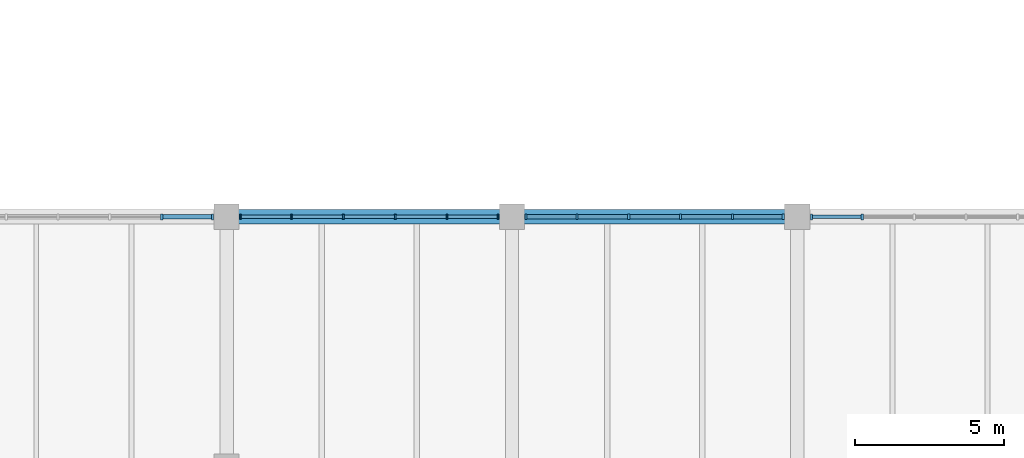
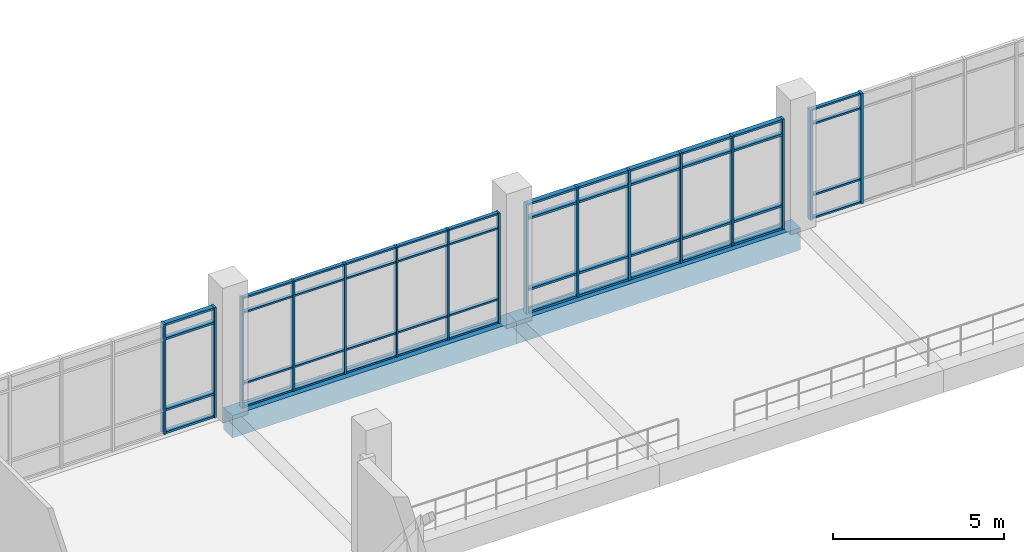
# One storey, part 21 of 152: 64 members, 2 beams, 4 elements without a shape of their own.
"""IFC4 building model written with IfcOpenShell, lengths in metres."""

from ifc_helpers import new_model, si_unit, direction, frame, origin, origin_2d, place, context, subcontext, project, spatial, rectangle, extrude, material, material_profile, profile_set, type_object, element, aggregate, save


model = new_model("IFC4")

# Units and contexts
model_context = context("Model", 3, precision=1e-05, world=origin(), true_north=direction((0.0, 1.0)))
body_context = subcontext(model_context, "Body", "Model", "MODEL_VIEW")
ifc_project = project(units=[si_unit("LENGTHUNIT", "METRE"), si_unit("AREAUNIT", "SQUARE_METRE"), si_unit("VOLUMEUNIT", "CUBIC_METRE"), si_unit("PLANEANGLEUNIT", "RADIAN"), si_unit("MASSUNIT", "GRAM", prefix="KILO")], contexts=[model_context])

# Site, building, storey
site_placement = place(None, origin())
site = spatial("IfcSite", under=ifc_project, at=site_placement, CompositionType="ELEMENT")
building_placement = place(site_placement, origin())
building = spatial("IfcBuilding", under=site, at=building_placement, Name="Oolite Switchyard Hospital", CompositionType="ELEMENT")
storey_placement = place(building_placement, frame((0.0, 0.0, 5.10009765625)))
storey = spatial("IfcBuildingStorey", under=building, at=storey_placement, Name="L01", CompositionType="ELEMENT", Elevation=5.10009765625)

# Beams
ifc_material_1 = material(Name="Concrete C40/50", Category="concrete")
ifc_material_profile_1 = material_profile(ifc_material_1, rectangle(XDim=0.5, YDim=0.800048828125, at=origin_2d()), Name="RCB500X800")
ifc_profile_set_1 = profile_set([ifc_material_profile_1], Name="Concrete C40/50")
beam_type = type_object("IfcBeamType", Name="BM-RC500X800", PredefinedType="BEAM", material=ifc_profile_set_1)
beam_1_placement = place(storey_placement, frame((67.199951171875, 33.60009765625, -0.400146484375), z_axis=(1.0, 0.0, 0.0), x_axis=(0.0, 1.0, 0.0)))
element("IfcBeam", 1, at=beam_1_placement, inside=storey, type_object=beam_type, Name="L01 X-Girder 69", PredefinedType="BEAM", context=body_context, shape_type="SweptSolid", body=[
    extrude(rectangle(XDim=0.5, YDim=0.800048828125, at=origin_2d()), origin(), (0.0, 0.0, 1.0), 9.60009765625),
])
beam_2_placement = place(storey_placement, frame((76.800048828125, 33.60009765625, -0.400146484375), z_axis=(1.0, 0.0, 0.0), x_axis=(0.0, 1.0, 0.0)))
element("IfcBeam", 2, at=beam_2_placement, inside=storey, type_object=beam_type, Name="L01 X-Girder 70", PredefinedType="BEAM", context=body_context, shape_type="SweptSolid", body=[
    extrude(rectangle(XDim=0.5, YDim=0.800048828125, at=origin_2d()), origin(), (0.0, 0.0, 1.0), 9.599853515625),
])

# Curtain wall, members
ifc_material_2 = material(Name="Thermally broken aluminum frame with laminated impact glazing", Category="aluminium")
curtain_wall_type = type_object("IfcCurtainWallType", Name="CW-UNIT-96X48", PredefinedType="USERDEFINED", material=ifc_material_2)
curtain_wall_1_placement = place(storey_placement, origin())
curtain_wall_1 = element("IfcCurtainWall", 3, at=curtain_wall_1_placement, inside=storey, type_object=curtain_wall_type, Name="L01 Unitised Curtain Wall 110", ObjectType="UNITISED", PredefinedType="USERDEFINED")
ifc_material_3 = material(Name="Aluminium 6063-T6", Category="aluminium")
ifc_material_profile_2 = material_profile(ifc_material_3, rectangle(XDim=0.159912109375, YDim=0.06005859375, at=origin_2d()), Name="CWM60X160")
ifc_profile_set_2 = profile_set([ifc_material_profile_2], Name="Aluminium 6063-T6")
member_type_1 = type_object("IfcMemberType", Name="CW-MUL-180", PredefinedType="MULLION", material=ifc_profile_set_2)
member_1_placement = place(storey_placement, frame((67.669921875, 33.60009765625, 0.0), z_axis=(0.0, 0.0, 1.0), x_axis=(0.0, 1.0, 0.0)))
member_1 = element("IfcMember", 4, at=member_1_placement, type_object=member_type_1, Name="CW-02 mullion 1", PredefinedType="MULLION", context=body_context, shape_type="SweptSolid", body=[
    extrude(rectangle(XDim=0.159912109375, YDim=0.06005859375, at=origin_2d()), origin(), (0.0, 0.0, 1.0), 3.93994140625),
])
member_2_placement = place(storey_placement, frame((69.384033203125, 33.60009765625, 0.0), z_axis=(0.0, 0.0, 1.0), x_axis=(0.0, 1.0, 0.0)))
member_2 = element("IfcMember", 5, at=member_2_placement, type_object=member_type_1, Name="CW-02 mullion 2", PredefinedType="MULLION", context=body_context, shape_type="SweptSolid", body=[
    extrude(rectangle(XDim=0.159912109375, YDim=0.06005859375, at=origin_2d()), origin(), (0.0, 0.0, 1.0), 3.93994140625),
])
member_3_placement = place(storey_placement, frame((71.1279296875, 33.60009765625, 0.0), z_axis=(0.0, 0.0, 1.0), x_axis=(0.0, 1.0, 0.0)))
member_3 = element("IfcMember", 6, at=member_3_placement, type_object=member_type_1, Name="CW-02 mullion 3", PredefinedType="MULLION", context=body_context, shape_type="SweptSolid", body=[
    extrude(rectangle(XDim=0.159912109375, YDim=0.06005859375, at=origin_2d()), origin(), (0.0, 0.0, 1.0), 3.93994140625),
])
member_4_placement = place(storey_placement, frame((72.8720703125, 33.60009765625, 0.0), z_axis=(0.0, 0.0, 1.0), x_axis=(0.0, 1.0, 0.0)))
member_4 = element("IfcMember", 7, at=member_4_placement, type_object=member_type_1, Name="CW-02 mullion 4", PredefinedType="MULLION", context=body_context, shape_type="SweptSolid", body=[
    extrude(rectangle(XDim=0.159912109375, YDim=0.06005859375, at=origin_2d()), origin(), (0.0, 0.0, 1.0), 3.93994140625),
])
member_5_placement = place(storey_placement, frame((74.615966796875, 33.60009765625, 0.0), z_axis=(0.0, 0.0, 1.0), x_axis=(0.0, 1.0, 0.0)))
member_5 = element("IfcMember", 8, at=member_5_placement, type_object=member_type_1, Name="CW-02 mullion 5", PredefinedType="MULLION", context=body_context, shape_type="SweptSolid", body=[
    extrude(rectangle(XDim=0.159912109375, YDim=0.06005859375, at=origin_2d()), origin(), (0.0, 0.0, 1.0), 3.93994140625),
])
member_6_placement = place(storey_placement, frame((76.330078125, 33.60009765625, 0.0), z_axis=(0.0, 0.0, 1.0), x_axis=(0.0, 1.0, 0.0)))
member_6 = element("IfcMember", 9, at=member_6_placement, type_object=member_type_1, Name="CW-02 mullion 6", PredefinedType="MULLION", context=body_context, shape_type="SweptSolid", body=[
    extrude(rectangle(XDim=0.159912109375, YDim=0.06005859375, at=origin_2d()), origin(), (0.0, 0.0, 1.0), 3.93994140625),
])

curtain_wall_2_placement = place(storey_placement, origin())
curtain_wall_2 = element("IfcCurtainWall", 10, at=curtain_wall_2_placement, inside=storey, type_object=curtain_wall_type, Name="L01 Unitised Curtain Wall 111", ObjectType="UNITISED", PredefinedType="USERDEFINED")
ifc_material_profile_3 = material_profile(ifc_material_3, rectangle(XDim=0.179931640625, YDim=0.070068359375, at=origin_2d()), Name="CWM70X180")
ifc_profile_set_3 = profile_set([ifc_material_profile_3], Name="Aluminium 6063-T6")
member_type_2 = type_object("IfcMemberType", Name="CW-MUL-220", PredefinedType="MULLION", material=ifc_profile_set_3)
member_7_placement = place(storey_placement, frame((77.27490234375, 33.60009765625, 0.0), z_axis=(0.0, 0.0, 1.0), x_axis=(0.0, 1.0, 0.0)))
member_7 = element("IfcMember", 11, at=member_7_placement, type_object=member_type_2, Name="CW-02 mullion 1", PredefinedType="MULLION", context=body_context, shape_type="SweptSolid", body=[
    extrude(rectangle(XDim=0.179931640625, YDim=0.070068359375, at=origin_2d()), origin(), (0.0, 0.0, 1.0), 3.93994140625),
])
member_8_placement = place(storey_placement, frame((78.98388671875, 33.60009765625, 0.0), z_axis=(0.0, 0.0, 1.0), x_axis=(0.0, 1.0, 0.0)))
member_8 = element("IfcMember", 12, at=member_8_placement, type_object=member_type_2, Name="CW-02 mullion 2", PredefinedType="MULLION", context=body_context, shape_type="SweptSolid", body=[
    extrude(rectangle(XDim=0.179931640625, YDim=0.070068359375, at=origin_2d()), origin(), (0.0, 0.0, 1.0), 3.93994140625),
])
member_9_placement = place(storey_placement, frame((80.72802734375, 33.60009765625, 0.0), z_axis=(0.0, 0.0, 1.0), x_axis=(0.0, 1.0, 0.0)))
member_9 = element("IfcMember", 13, at=member_9_placement, type_object=member_type_2, Name="CW-02 mullion 3", PredefinedType="MULLION", context=body_context, shape_type="SweptSolid", body=[
    extrude(rectangle(XDim=0.179931640625, YDim=0.070068359375, at=origin_2d()), origin(), (0.0, 0.0, 1.0), 3.93994140625),
])
member_10_placement = place(storey_placement, frame((82.471923828125, 33.60009765625, 0.0), z_axis=(0.0, 0.0, 1.0), x_axis=(0.0, 1.0, 0.0)))
member_10 = element("IfcMember", 14, at=member_10_placement, type_object=member_type_2, Name="CW-02 mullion 4", PredefinedType="MULLION", context=body_context, shape_type="SweptSolid", body=[
    extrude(rectangle(XDim=0.179931640625, YDim=0.070068359375, at=origin_2d()), origin(), (0.0, 0.0, 1.0), 3.93994140625),
])
member_11_placement = place(storey_placement, frame((84.216064453125, 33.60009765625, 0.0), z_axis=(0.0, 0.0, 1.0), x_axis=(0.0, 1.0, 0.0)))
member_11 = element("IfcMember", 15, at=member_11_placement, type_object=member_type_2, Name="CW-02 mullion 5", PredefinedType="MULLION", context=body_context, shape_type="SweptSolid", body=[
    extrude(rectangle(XDim=0.179931640625, YDim=0.070068359375, at=origin_2d()), origin(), (0.0, 0.0, 1.0), 3.93994140625),
])
member_12_placement = place(storey_placement, frame((85.925048828125, 33.60009765625, 0.0), z_axis=(0.0, 0.0, 1.0), x_axis=(0.0, 1.0, 0.0)))
member_12 = element("IfcMember", 16, at=member_12_placement, type_object=member_type_2, Name="CW-02 mullion 6", PredefinedType="MULLION", context=body_context, shape_type="SweptSolid", body=[
    extrude(rectangle(XDim=0.179931640625, YDim=0.070068359375, at=origin_2d()), origin(), (0.0, 0.0, 1.0), 3.93994140625),
])

curtain_wall_3_placement = place(storey_placement, origin())
curtain_wall_3 = element("IfcCurtainWall", 17, at=curtain_wall_3_placement, inside=storey, type_object=curtain_wall_type, Name="L01 Unitised Curtain Wall 109", ObjectType="UNITISED", PredefinedType="USERDEFINED")
ifc_material_profile_4 = material_profile(ifc_material_3, rectangle(XDim=0.199951171875, YDim=0.074951171875, at=origin_2d()), Name="CWM75X200")
ifc_profile_set_4 = profile_set([ifc_material_profile_4], Name="Aluminium 6063-T6")
member_type_3 = type_object("IfcMemberType", Name="CW-MUL-260", PredefinedType="MULLION", material=ifc_profile_set_4)
member_13_placement = place(storey_placement, frame((65.01611328125, 33.60009765625, 0.0), z_axis=(0.0, 0.0, 1.0), x_axis=(0.0, 1.0, 0.0)))
member_13 = element("IfcMember", 18, at=member_13_placement, type_object=member_type_3, Name="CW-02 mullion 5", PredefinedType="MULLION", context=body_context, shape_type="SweptSolid", body=[
    extrude(rectangle(XDim=0.199951171875, YDim=0.074951171875, at=origin_2d()), origin(), (0.0, 0.0, 1.0), 3.93994140625),
])
member_14_placement = place(storey_placement, frame((66.722412109375, 33.60009765625, 0.0), z_axis=(0.0, 0.0, 1.0), x_axis=(0.0, 1.0, 0.0)))
member_14 = element("IfcMember", 19, at=member_14_placement, type_object=member_type_3, Name="CW-02 mullion 6", PredefinedType="MULLION", context=body_context, shape_type="SweptSolid", body=[
    extrude(rectangle(XDim=0.199951171875, YDim=0.074951171875, at=origin_2d()), origin(), (0.0, 0.0, 1.0), 3.93994140625),
])

curtain_wall_4_placement = place(storey_placement, origin())
curtain_wall_4 = element("IfcCurtainWall", 20, at=curtain_wall_4_placement, inside=storey, type_object=curtain_wall_type, Name="L01 Unitised Curtain Wall 112", ObjectType="UNITISED", PredefinedType="USERDEFINED")
member_15_placement = place(storey_placement, frame((86.87744140625, 33.60009765625, 0.0), z_axis=(0.0, 0.0, 1.0), x_axis=(0.0, 1.0, 0.0)))
member_15 = element("IfcMember", 21, at=member_15_placement, type_object=member_type_3, Name="CW-02 mullion 1", PredefinedType="MULLION", context=body_context, shape_type="SweptSolid", body=[
    extrude(rectangle(XDim=0.199951171875, YDim=0.074951171875, at=origin_2d()), origin(), (0.0, 0.0, 1.0), 3.93994140625),
])
member_16_placement = place(storey_placement, frame((88.583984375, 33.60009765625, 0.0), z_axis=(0.0, 0.0, 1.0), x_axis=(0.0, 1.0, 0.0)))
member_16 = element("IfcMember", 22, at=member_16_placement, type_object=member_type_3, Name="CW-02 mullion 2", PredefinedType="MULLION", context=body_context, shape_type="SweptSolid", body=[
    extrude(rectangle(XDim=0.199951171875, YDim=0.074951171875, at=origin_2d()), origin(), (0.0, 0.0, 1.0), 3.93994140625),
])

# Member
ifc_material_profile_5 = material_profile(ifc_material_3, rectangle(XDim=0.1201171875, YDim=0.06005859375, at=origin_2d()), Name="CWT60X120")
ifc_profile_set_5 = profile_set([ifc_material_profile_5], Name="Aluminium 6063-T6")
member_type_4 = type_object("IfcMemberType", Name="CW-TRN-150", PredefinedType="USERDEFINED", material=ifc_profile_set_5)
member_17_placement = place(storey_placement, frame((67.699951171875, 33.60009765625, 0.02978515625), z_axis=(1.0, 0.0, 0.0), x_axis=(0.0, 1.0, 0.0)))
member_17 = element("IfcMember", 23, at=member_17_placement, type_object=member_type_4, Name="CW-02 transom 1.1", ObjectType="TRANSOM", PredefinedType="USERDEFINED", context=body_context, shape_type="SweptSolid", body=[
    extrude(rectangle(XDim=0.1201171875, YDim=0.06005859375, at=origin_2d()), origin(), (0.0, 0.0, 1.0), 1.654052734375),
])

member_18_placement = place(storey_placement, frame((67.699951171875, 33.60009765625, 0.849853515625), z_axis=(1.0, 0.0, 0.0), x_axis=(0.0, 1.0, 0.0)))
member_18 = element("IfcMember", 24, at=member_18_placement, type_object=member_type_4, Name="CW-02 transom 1.2", ObjectType="TRANSOM", PredefinedType="USERDEFINED", context=body_context, shape_type="SweptSolid", body=[
    extrude(rectangle(XDim=0.1201171875, YDim=0.06005859375, at=origin_2d()), origin(), (0.0, 0.0, 1.0), 1.654052734375),
])

member_19_placement = place(storey_placement, frame((67.699951171875, 33.60009765625, 3.389892578125), z_axis=(1.0, 0.0, 0.0), x_axis=(0.0, 1.0, 0.0)))
member_19 = element("IfcMember", 25, at=member_19_placement, type_object=member_type_4, Name="CW-02 transom 1.3", ObjectType="TRANSOM", PredefinedType="USERDEFINED", context=body_context, shape_type="SweptSolid", body=[
    extrude(rectangle(XDim=0.1201171875, YDim=0.06005859375, at=origin_2d()), origin(), (0.0, 0.0, 1.0), 1.654052734375),
])

member_20_placement = place(storey_placement, frame((67.699951171875, 33.60009765625, 3.909912109375), z_axis=(1.0, 0.0, 0.0), x_axis=(0.0, 1.0, 0.0)))
member_20 = element("IfcMember", 26, at=member_20_placement, type_object=member_type_4, Name="CW-02 transom 1.4", ObjectType="TRANSOM", PredefinedType="USERDEFINED", context=body_context, shape_type="SweptSolid", body=[
    extrude(rectangle(XDim=0.1201171875, YDim=0.06005859375, at=origin_2d()), origin(), (0.0, 0.0, 1.0), 1.654052734375),
])

member_21_placement = place(storey_placement, frame((69.4140625, 33.60009765625, 0.02978515625), z_axis=(1.0, 0.0, 0.0), x_axis=(0.0, 1.0, 0.0)))
member_21 = element("IfcMember", 27, at=member_21_placement, type_object=member_type_4, Name="CW-02 transom 2.1", ObjectType="TRANSOM", PredefinedType="USERDEFINED", context=body_context, shape_type="SweptSolid", body=[
    extrude(rectangle(XDim=0.1201171875, YDim=0.06005859375, at=origin_2d()), origin(), (0.0, 0.0, 1.0), 1.683837890625),
])

member_22_placement = place(storey_placement, frame((69.4140625, 33.60009765625, 0.849853515625), z_axis=(1.0, 0.0, 0.0), x_axis=(0.0, 1.0, 0.0)))
member_22 = element("IfcMember", 28, at=member_22_placement, type_object=member_type_4, Name="CW-02 transom 2.2", ObjectType="TRANSOM", PredefinedType="USERDEFINED", context=body_context, shape_type="SweptSolid", body=[
    extrude(rectangle(XDim=0.1201171875, YDim=0.06005859375, at=origin_2d()), origin(), (0.0, 0.0, 1.0), 1.683837890625),
])

member_23_placement = place(storey_placement, frame((69.4140625, 33.60009765625, 3.389892578125), z_axis=(1.0, 0.0, 0.0), x_axis=(0.0, 1.0, 0.0)))
member_23 = element("IfcMember", 29, at=member_23_placement, type_object=member_type_4, Name="CW-02 transom 2.3", ObjectType="TRANSOM", PredefinedType="USERDEFINED", context=body_context, shape_type="SweptSolid", body=[
    extrude(rectangle(XDim=0.1201171875, YDim=0.06005859375, at=origin_2d()), origin(), (0.0, 0.0, 1.0), 1.683837890625),
])

member_24_placement = place(storey_placement, frame((69.4140625, 33.60009765625, 3.909912109375), z_axis=(1.0, 0.0, 0.0), x_axis=(0.0, 1.0, 0.0)))
member_24 = element("IfcMember", 30, at=member_24_placement, type_object=member_type_4, Name="CW-02 transom 2.4", ObjectType="TRANSOM", PredefinedType="USERDEFINED", context=body_context, shape_type="SweptSolid", body=[
    extrude(rectangle(XDim=0.1201171875, YDim=0.06005859375, at=origin_2d()), origin(), (0.0, 0.0, 1.0), 1.683837890625),
])

member_25_placement = place(storey_placement, frame((71.157958984375, 33.60009765625, 0.02978515625), z_axis=(1.0, 0.0, 0.0), x_axis=(0.0, 1.0, 0.0)))
member_25 = element("IfcMember", 31, at=member_25_placement, type_object=member_type_4, Name="CW-02 transom 3.1", ObjectType="TRANSOM", PredefinedType="USERDEFINED", context=body_context, shape_type="SweptSolid", body=[
    extrude(rectangle(XDim=0.1201171875, YDim=0.06005859375, at=origin_2d()), origin(), (0.0, 0.0, 1.0), 1.68408203125),
])

member_26_placement = place(storey_placement, frame((71.157958984375, 33.60009765625, 0.849853515625), z_axis=(1.0, 0.0, 0.0), x_axis=(0.0, 1.0, 0.0)))
member_26 = element("IfcMember", 32, at=member_26_placement, type_object=member_type_4, Name="CW-02 transom 3.2", ObjectType="TRANSOM", PredefinedType="USERDEFINED", context=body_context, shape_type="SweptSolid", body=[
    extrude(rectangle(XDim=0.1201171875, YDim=0.06005859375, at=origin_2d()), origin(), (0.0, 0.0, 1.0), 1.68408203125),
])

member_27_placement = place(storey_placement, frame((71.157958984375, 33.60009765625, 3.389892578125), z_axis=(1.0, 0.0, 0.0), x_axis=(0.0, 1.0, 0.0)))
member_27 = element("IfcMember", 33, at=member_27_placement, type_object=member_type_4, Name="CW-02 transom 3.3", ObjectType="TRANSOM", PredefinedType="USERDEFINED", context=body_context, shape_type="SweptSolid", body=[
    extrude(rectangle(XDim=0.1201171875, YDim=0.06005859375, at=origin_2d()), origin(), (0.0, 0.0, 1.0), 1.68408203125),
])

member_28_placement = place(storey_placement, frame((71.157958984375, 33.60009765625, 3.909912109375), z_axis=(1.0, 0.0, 0.0), x_axis=(0.0, 1.0, 0.0)))
member_28 = element("IfcMember", 34, at=member_28_placement, type_object=member_type_4, Name="CW-02 transom 3.4", ObjectType="TRANSOM", PredefinedType="USERDEFINED", context=body_context, shape_type="SweptSolid", body=[
    extrude(rectangle(XDim=0.1201171875, YDim=0.06005859375, at=origin_2d()), origin(), (0.0, 0.0, 1.0), 1.68408203125),
])

member_29_placement = place(storey_placement, frame((72.902099609375, 33.60009765625, 0.02978515625), z_axis=(1.0, 0.0, 0.0), x_axis=(0.0, 1.0, 0.0)))
member_29 = element("IfcMember", 35, at=member_29_placement, type_object=member_type_4, Name="CW-02 transom 4.1", ObjectType="TRANSOM", PredefinedType="USERDEFINED", context=body_context, shape_type="SweptSolid", body=[
    extrude(rectangle(XDim=0.1201171875, YDim=0.06005859375, at=origin_2d()), origin(), (0.0, 0.0, 1.0), 1.683837890625),
])

member_30_placement = place(storey_placement, frame((72.902099609375, 33.60009765625, 0.849853515625), z_axis=(1.0, 0.0, 0.0), x_axis=(0.0, 1.0, 0.0)))
member_30 = element("IfcMember", 36, at=member_30_placement, type_object=member_type_4, Name="CW-02 transom 4.2", ObjectType="TRANSOM", PredefinedType="USERDEFINED", context=body_context, shape_type="SweptSolid", body=[
    extrude(rectangle(XDim=0.1201171875, YDim=0.06005859375, at=origin_2d()), origin(), (0.0, 0.0, 1.0), 1.683837890625),
])

member_31_placement = place(storey_placement, frame((72.902099609375, 33.60009765625, 3.389892578125), z_axis=(1.0, 0.0, 0.0), x_axis=(0.0, 1.0, 0.0)))
member_31 = element("IfcMember", 37, at=member_31_placement, type_object=member_type_4, Name="CW-02 transom 4.3", ObjectType="TRANSOM", PredefinedType="USERDEFINED", context=body_context, shape_type="SweptSolid", body=[
    extrude(rectangle(XDim=0.1201171875, YDim=0.06005859375, at=origin_2d()), origin(), (0.0, 0.0, 1.0), 1.683837890625),
])

member_32_placement = place(storey_placement, frame((72.902099609375, 33.60009765625, 3.909912109375), z_axis=(1.0, 0.0, 0.0), x_axis=(0.0, 1.0, 0.0)))
member_32 = element("IfcMember", 38, at=member_32_placement, type_object=member_type_4, Name="CW-02 transom 4.4", ObjectType="TRANSOM", PredefinedType="USERDEFINED", context=body_context, shape_type="SweptSolid", body=[
    extrude(rectangle(XDim=0.1201171875, YDim=0.06005859375, at=origin_2d()), origin(), (0.0, 0.0, 1.0), 1.683837890625),
])

member_33_placement = place(storey_placement, frame((74.64599609375, 33.60009765625, 0.02978515625), z_axis=(1.0, 0.0, 0.0), x_axis=(0.0, 1.0, 0.0)))
member_33 = element("IfcMember", 39, at=member_33_placement, type_object=member_type_4, Name="CW-02 transom 5.1", ObjectType="TRANSOM", PredefinedType="USERDEFINED", context=body_context, shape_type="SweptSolid", body=[
    extrude(rectangle(XDim=0.1201171875, YDim=0.06005859375, at=origin_2d()), origin(), (0.0, 0.0, 1.0), 1.654052734375),
])

member_34_placement = place(storey_placement, frame((74.64599609375, 33.60009765625, 0.849853515625), z_axis=(1.0, 0.0, 0.0), x_axis=(0.0, 1.0, 0.0)))
member_34 = element("IfcMember", 40, at=member_34_placement, type_object=member_type_4, Name="CW-02 transom 5.2", ObjectType="TRANSOM", PredefinedType="USERDEFINED", context=body_context, shape_type="SweptSolid", body=[
    extrude(rectangle(XDim=0.1201171875, YDim=0.06005859375, at=origin_2d()), origin(), (0.0, 0.0, 1.0), 1.654052734375),
])

member_35_placement = place(storey_placement, frame((74.64599609375, 33.60009765625, 3.389892578125), z_axis=(1.0, 0.0, 0.0), x_axis=(0.0, 1.0, 0.0)))
member_35 = element("IfcMember", 41, at=member_35_placement, type_object=member_type_4, Name="CW-02 transom 5.3", ObjectType="TRANSOM", PredefinedType="USERDEFINED", context=body_context, shape_type="SweptSolid", body=[
    extrude(rectangle(XDim=0.1201171875, YDim=0.06005859375, at=origin_2d()), origin(), (0.0, 0.0, 1.0), 1.654052734375),
])

member_36_placement = place(storey_placement, frame((74.64599609375, 33.60009765625, 3.909912109375), z_axis=(1.0, 0.0, 0.0), x_axis=(0.0, 1.0, 0.0)))
member_36 = element("IfcMember", 42, at=member_36_placement, type_object=member_type_4, Name="CW-02 transom 5.4", ObjectType="TRANSOM", PredefinedType="USERDEFINED", context=body_context, shape_type="SweptSolid", body=[
    extrude(rectangle(XDim=0.1201171875, YDim=0.06005859375, at=origin_2d()), origin(), (0.0, 0.0, 1.0), 1.654052734375),
])

aggregate(curtain_wall_1, [member_1, member_2, member_3, member_4, member_5, member_6, member_17, member_18, member_19, member_20, member_21, member_22, member_23, member_24, member_25, member_26, member_27, member_28, member_29, member_30, member_31, member_32, member_33, member_34, member_35, member_36])

member_37_placement = place(storey_placement, frame((86.9150390625, 33.60009765625, 0.02978515625), z_axis=(1.0, 0.0, 0.0), x_axis=(0.0, 1.0, 0.0)))
member_37 = element("IfcMember", 43, at=member_37_placement, type_object=member_type_4, Name="CW-02 transom 1.1", ObjectType="TRANSOM", PredefinedType="USERDEFINED", context=body_context, shape_type="SweptSolid", body=[
    extrude(rectangle(XDim=0.1201171875, YDim=0.06005859375, at=origin_2d()), origin(), (0.0, 0.0, 1.0), 1.63134765625),
])

member_38_placement = place(storey_placement, frame((86.9150390625, 33.60009765625, 0.849853515625), z_axis=(1.0, 0.0, 0.0), x_axis=(0.0, 1.0, 0.0)))
member_38 = element("IfcMember", 44, at=member_38_placement, type_object=member_type_4, Name="CW-02 transom 1.2", ObjectType="TRANSOM", PredefinedType="USERDEFINED", context=body_context, shape_type="SweptSolid", body=[
    extrude(rectangle(XDim=0.1201171875, YDim=0.06005859375, at=origin_2d()), origin(), (0.0, 0.0, 1.0), 1.63134765625),
])

member_39_placement = place(storey_placement, frame((86.9150390625, 33.60009765625, 3.389892578125), z_axis=(1.0, 0.0, 0.0), x_axis=(0.0, 1.0, 0.0)))
member_39 = element("IfcMember", 45, at=member_39_placement, type_object=member_type_4, Name="CW-02 transom 1.3", ObjectType="TRANSOM", PredefinedType="USERDEFINED", context=body_context, shape_type="SweptSolid", body=[
    extrude(rectangle(XDim=0.1201171875, YDim=0.06005859375, at=origin_2d()), origin(), (0.0, 0.0, 1.0), 1.63134765625),
])

member_40_placement = place(storey_placement, frame((86.9150390625, 33.60009765625, 3.909912109375), z_axis=(1.0, 0.0, 0.0), x_axis=(0.0, 1.0, 0.0)))
member_40 = element("IfcMember", 46, at=member_40_placement, type_object=member_type_4, Name="CW-02 transom 1.4", ObjectType="TRANSOM", PredefinedType="USERDEFINED", context=body_context, shape_type="SweptSolid", body=[
    extrude(rectangle(XDim=0.1201171875, YDim=0.06005859375, at=origin_2d()), origin(), (0.0, 0.0, 1.0), 1.63134765625),
])

aggregate(curtain_wall_4, [member_15, member_16, member_37, member_38, member_39, member_40])

ifc_material_profile_6 = material_profile(ifc_material_3, rectangle(XDim=0.159912109375, YDim=0.074951171875, at=origin_2d()), Name="CWT75X160")
ifc_profile_set_6 = profile_set([ifc_material_profile_6], Name="Aluminium 6063-T6")
member_type_5 = type_object("IfcMemberType", Name="CW-TRN-180", PredefinedType="USERDEFINED", material=ifc_profile_set_6)
member_41_placement = place(storey_placement, frame((65.053466796875, 33.60009765625, 0.037353515625), z_axis=(1.0, 0.0, 0.0), x_axis=(0.0, 1.0, 0.0)))
member_41 = element("IfcMember", 47, at=member_41_placement, type_object=member_type_5, Name="CW-02 transom 5.1", ObjectType="TRANSOM", PredefinedType="USERDEFINED", context=body_context, shape_type="SweptSolid", body=[
    extrude(rectangle(XDim=0.159912109375, YDim=0.074951171875, at=origin_2d()), origin(), (0.0, 0.0, 1.0), 1.631591796875),
])

member_42_placement = place(storey_placement, frame((65.053466796875, 33.60009765625, 0.849853515625), z_axis=(1.0, 0.0, 0.0), x_axis=(0.0, 1.0, 0.0)))
member_42 = element("IfcMember", 48, at=member_42_placement, type_object=member_type_5, Name="CW-02 transom 5.2", ObjectType="TRANSOM", PredefinedType="USERDEFINED", context=body_context, shape_type="SweptSolid", body=[
    extrude(rectangle(XDim=0.159912109375, YDim=0.074951171875, at=origin_2d()), origin(), (0.0, 0.0, 1.0), 1.631591796875),
])

member_43_placement = place(storey_placement, frame((65.053466796875, 33.60009765625, 3.389892578125), z_axis=(1.0, 0.0, 0.0), x_axis=(0.0, 1.0, 0.0)))
member_43 = element("IfcMember", 49, at=member_43_placement, type_object=member_type_5, Name="CW-02 transom 5.3", ObjectType="TRANSOM", PredefinedType="USERDEFINED", context=body_context, shape_type="SweptSolid", body=[
    extrude(rectangle(XDim=0.159912109375, YDim=0.074951171875, at=origin_2d()), origin(), (0.0, 0.0, 1.0), 1.631591796875),
])

member_44_placement = place(storey_placement, frame((65.053466796875, 33.60009765625, 3.90234375), z_axis=(1.0, 0.0, 0.0), x_axis=(0.0, 1.0, 0.0)))
member_44 = element("IfcMember", 50, at=member_44_placement, type_object=member_type_5, Name="CW-02 transom 5.4", ObjectType="TRANSOM", PredefinedType="USERDEFINED", context=body_context, shape_type="SweptSolid", body=[
    extrude(rectangle(XDim=0.159912109375, YDim=0.074951171875, at=origin_2d()), origin(), (0.0, 0.0, 1.0), 1.631591796875),
])

aggregate(curtain_wall_3, [member_13, member_14, member_41, member_42, member_43, member_44])

member_45_placement = place(storey_placement, frame((77.31005859375, 33.60009765625, 0.037353515625), z_axis=(1.0, 0.0, 0.0), x_axis=(0.0, 1.0, 0.0)))
member_45 = element("IfcMember", 51, at=member_45_placement, type_object=member_type_5, Name="CW-02 transom 1.1", ObjectType="TRANSOM", PredefinedType="USERDEFINED", context=body_context, shape_type="SweptSolid", body=[
    extrude(rectangle(XDim=0.159912109375, YDim=0.074951171875, at=origin_2d()), origin(), (0.0, 0.0, 1.0), 1.638916015625),
])

member_46_placement = place(storey_placement, frame((77.31005859375, 33.60009765625, 0.849853515625), z_axis=(1.0, 0.0, 0.0), x_axis=(0.0, 1.0, 0.0)))
member_46 = element("IfcMember", 52, at=member_46_placement, type_object=member_type_5, Name="CW-02 transom 1.2", ObjectType="TRANSOM", PredefinedType="USERDEFINED", context=body_context, shape_type="SweptSolid", body=[
    extrude(rectangle(XDim=0.159912109375, YDim=0.074951171875, at=origin_2d()), origin(), (0.0, 0.0, 1.0), 1.638916015625),
])

member_47_placement = place(storey_placement, frame((77.31005859375, 33.60009765625, 3.389892578125), z_axis=(1.0, 0.0, 0.0), x_axis=(0.0, 1.0, 0.0)))
member_47 = element("IfcMember", 53, at=member_47_placement, type_object=member_type_5, Name="CW-02 transom 1.3", ObjectType="TRANSOM", PredefinedType="USERDEFINED", context=body_context, shape_type="SweptSolid", body=[
    extrude(rectangle(XDim=0.159912109375, YDim=0.074951171875, at=origin_2d()), origin(), (0.0, 0.0, 1.0), 1.638916015625),
])

member_48_placement = place(storey_placement, frame((77.31005859375, 33.60009765625, 3.90234375), z_axis=(1.0, 0.0, 0.0), x_axis=(0.0, 1.0, 0.0)))
member_48 = element("IfcMember", 54, at=member_48_placement, type_object=member_type_5, Name="CW-02 transom 1.4", ObjectType="TRANSOM", PredefinedType="USERDEFINED", context=body_context, shape_type="SweptSolid", body=[
    extrude(rectangle(XDim=0.159912109375, YDim=0.074951171875, at=origin_2d()), origin(), (0.0, 0.0, 1.0), 1.638916015625),
])

member_49_placement = place(storey_placement, frame((79.01904296875, 33.60009765625, 0.037353515625), z_axis=(1.0, 0.0, 0.0), x_axis=(0.0, 1.0, 0.0)))
member_49 = element("IfcMember", 55, at=member_49_placement, type_object=member_type_5, Name="CW-02 transom 2.1", ObjectType="TRANSOM", PredefinedType="USERDEFINED", context=body_context, shape_type="SweptSolid", body=[
    extrude(rectangle(XDim=0.159912109375, YDim=0.074951171875, at=origin_2d()), origin(), (0.0, 0.0, 1.0), 1.674072265625),
])

member_50_placement = place(storey_placement, frame((79.01904296875, 33.60009765625, 0.849853515625), z_axis=(1.0, 0.0, 0.0), x_axis=(0.0, 1.0, 0.0)))
member_50 = element("IfcMember", 56, at=member_50_placement, type_object=member_type_5, Name="CW-02 transom 2.2", ObjectType="TRANSOM", PredefinedType="USERDEFINED", context=body_context, shape_type="SweptSolid", body=[
    extrude(rectangle(XDim=0.159912109375, YDim=0.074951171875, at=origin_2d()), origin(), (0.0, 0.0, 1.0), 1.674072265625),
])

member_51_placement = place(storey_placement, frame((79.01904296875, 33.60009765625, 3.389892578125), z_axis=(1.0, 0.0, 0.0), x_axis=(0.0, 1.0, 0.0)))
member_51 = element("IfcMember", 57, at=member_51_placement, type_object=member_type_5, Name="CW-02 transom 2.3", ObjectType="TRANSOM", PredefinedType="USERDEFINED", context=body_context, shape_type="SweptSolid", body=[
    extrude(rectangle(XDim=0.159912109375, YDim=0.074951171875, at=origin_2d()), origin(), (0.0, 0.0, 1.0), 1.674072265625),
])

member_52_placement = place(storey_placement, frame((79.01904296875, 33.60009765625, 3.90234375), z_axis=(1.0, 0.0, 0.0), x_axis=(0.0, 1.0, 0.0)))
member_52 = element("IfcMember", 58, at=member_52_placement, type_object=member_type_5, Name="CW-02 transom 2.4", ObjectType="TRANSOM", PredefinedType="USERDEFINED", context=body_context, shape_type="SweptSolid", body=[
    extrude(rectangle(XDim=0.159912109375, YDim=0.074951171875, at=origin_2d()), origin(), (0.0, 0.0, 1.0), 1.674072265625),
])

member_53_placement = place(storey_placement, frame((80.762939453125, 33.60009765625, 0.037353515625), z_axis=(1.0, 0.0, 0.0), x_axis=(0.0, 1.0, 0.0)))
member_53 = element("IfcMember", 59, at=member_53_placement, type_object=member_type_5, Name="CW-02 transom 3.1", ObjectType="TRANSOM", PredefinedType="USERDEFINED", context=body_context, shape_type="SweptSolid", body=[
    extrude(rectangle(XDim=0.159912109375, YDim=0.074951171875, at=origin_2d()), origin(), (0.0, 0.0, 1.0), 1.674072265625),
])

member_54_placement = place(storey_placement, frame((80.762939453125, 33.60009765625, 0.849853515625), z_axis=(1.0, 0.0, 0.0), x_axis=(0.0, 1.0, 0.0)))
member_54 = element("IfcMember", 60, at=member_54_placement, type_object=member_type_5, Name="CW-02 transom 3.2", ObjectType="TRANSOM", PredefinedType="USERDEFINED", context=body_context, shape_type="SweptSolid", body=[
    extrude(rectangle(XDim=0.159912109375, YDim=0.074951171875, at=origin_2d()), origin(), (0.0, 0.0, 1.0), 1.674072265625),
])

member_55_placement = place(storey_placement, frame((80.762939453125, 33.60009765625, 3.389892578125), z_axis=(1.0, 0.0, 0.0), x_axis=(0.0, 1.0, 0.0)))
member_55 = element("IfcMember", 61, at=member_55_placement, type_object=member_type_5, Name="CW-02 transom 3.3", ObjectType="TRANSOM", PredefinedType="USERDEFINED", context=body_context, shape_type="SweptSolid", body=[
    extrude(rectangle(XDim=0.159912109375, YDim=0.074951171875, at=origin_2d()), origin(), (0.0, 0.0, 1.0), 1.674072265625),
])

member_56_placement = place(storey_placement, frame((80.762939453125, 33.60009765625, 3.90234375), z_axis=(1.0, 0.0, 0.0), x_axis=(0.0, 1.0, 0.0)))
member_56 = element("IfcMember", 62, at=member_56_placement, type_object=member_type_5, Name="CW-02 transom 3.4", ObjectType="TRANSOM", PredefinedType="USERDEFINED", context=body_context, shape_type="SweptSolid", body=[
    extrude(rectangle(XDim=0.159912109375, YDim=0.074951171875, at=origin_2d()), origin(), (0.0, 0.0, 1.0), 1.674072265625),
])

member_57_placement = place(storey_placement, frame((82.507080078125, 33.60009765625, 0.037353515625), z_axis=(1.0, 0.0, 0.0), x_axis=(0.0, 1.0, 0.0)))
member_57 = element("IfcMember", 63, at=member_57_placement, type_object=member_type_5, Name="CW-02 transom 4.1", ObjectType="TRANSOM", PredefinedType="USERDEFINED", context=body_context, shape_type="SweptSolid", body=[
    extrude(rectangle(XDim=0.159912109375, YDim=0.074951171875, at=origin_2d()), origin(), (0.0, 0.0, 1.0), 1.673828125),
])

member_58_placement = place(storey_placement, frame((82.507080078125, 33.60009765625, 0.849853515625), z_axis=(1.0, 0.0, 0.0), x_axis=(0.0, 1.0, 0.0)))
member_58 = element("IfcMember", 64, at=member_58_placement, type_object=member_type_5, Name="CW-02 transom 4.2", ObjectType="TRANSOM", PredefinedType="USERDEFINED", context=body_context, shape_type="SweptSolid", body=[
    extrude(rectangle(XDim=0.159912109375, YDim=0.074951171875, at=origin_2d()), origin(), (0.0, 0.0, 1.0), 1.673828125),
])

member_59_placement = place(storey_placement, frame((82.507080078125, 33.60009765625, 3.389892578125), z_axis=(1.0, 0.0, 0.0), x_axis=(0.0, 1.0, 0.0)))
member_59 = element("IfcMember", 65, at=member_59_placement, type_object=member_type_5, Name="CW-02 transom 4.3", ObjectType="TRANSOM", PredefinedType="USERDEFINED", context=body_context, shape_type="SweptSolid", body=[
    extrude(rectangle(XDim=0.159912109375, YDim=0.074951171875, at=origin_2d()), origin(), (0.0, 0.0, 1.0), 1.673828125),
])

member_60_placement = place(storey_placement, frame((82.507080078125, 33.60009765625, 3.90234375), z_axis=(1.0, 0.0, 0.0), x_axis=(0.0, 1.0, 0.0)))
member_60 = element("IfcMember", 66, at=member_60_placement, type_object=member_type_5, Name="CW-02 transom 4.4", ObjectType="TRANSOM", PredefinedType="USERDEFINED", context=body_context, shape_type="SweptSolid", body=[
    extrude(rectangle(XDim=0.159912109375, YDim=0.074951171875, at=origin_2d()), origin(), (0.0, 0.0, 1.0), 1.673828125),
])

member_61_placement = place(storey_placement, frame((84.2509765625, 33.60009765625, 0.037353515625), z_axis=(1.0, 0.0, 0.0), x_axis=(0.0, 1.0, 0.0)))
member_61 = element("IfcMember", 67, at=member_61_placement, type_object=member_type_5, Name="CW-02 transom 5.1", ObjectType="TRANSOM", PredefinedType="USERDEFINED", context=body_context, shape_type="SweptSolid", body=[
    extrude(rectangle(XDim=0.159912109375, YDim=0.074951171875, at=origin_2d()), origin(), (0.0, 0.0, 1.0), 1.638916015625),
])

member_62_placement = place(storey_placement, frame((84.2509765625, 33.60009765625, 0.849853515625), z_axis=(1.0, 0.0, 0.0), x_axis=(0.0, 1.0, 0.0)))
member_62 = element("IfcMember", 68, at=member_62_placement, type_object=member_type_5, Name="CW-02 transom 5.2", ObjectType="TRANSOM", PredefinedType="USERDEFINED", context=body_context, shape_type="SweptSolid", body=[
    extrude(rectangle(XDim=0.159912109375, YDim=0.074951171875, at=origin_2d()), origin(), (0.0, 0.0, 1.0), 1.638916015625),
])

member_63_placement = place(storey_placement, frame((84.2509765625, 33.60009765625, 3.389892578125), z_axis=(1.0, 0.0, 0.0), x_axis=(0.0, 1.0, 0.0)))
member_63 = element("IfcMember", 69, at=member_63_placement, type_object=member_type_5, Name="CW-02 transom 5.3", ObjectType="TRANSOM", PredefinedType="USERDEFINED", context=body_context, shape_type="SweptSolid", body=[
    extrude(rectangle(XDim=0.159912109375, YDim=0.074951171875, at=origin_2d()), origin(), (0.0, 0.0, 1.0), 1.638916015625),
])

member_64_placement = place(storey_placement, frame((84.2509765625, 33.60009765625, 3.90234375), z_axis=(1.0, 0.0, 0.0), x_axis=(0.0, 1.0, 0.0)))
member_64 = element("IfcMember", 70, at=member_64_placement, type_object=member_type_5, Name="CW-02 transom 5.4", ObjectType="TRANSOM", PredefinedType="USERDEFINED", context=body_context, shape_type="SweptSolid", body=[
    extrude(rectangle(XDim=0.159912109375, YDim=0.074951171875, at=origin_2d()), origin(), (0.0, 0.0, 1.0), 1.638916015625),
])

aggregate(curtain_wall_2, [member_7, member_8, member_9, member_10, member_11, member_12, member_45, member_46, member_47, member_48, member_49, member_50, member_51, member_52, member_53, member_54, member_55, member_56, member_57, member_58, member_59, member_60, member_61, member_62, member_63, member_64])

save(model, "model.ifc")
